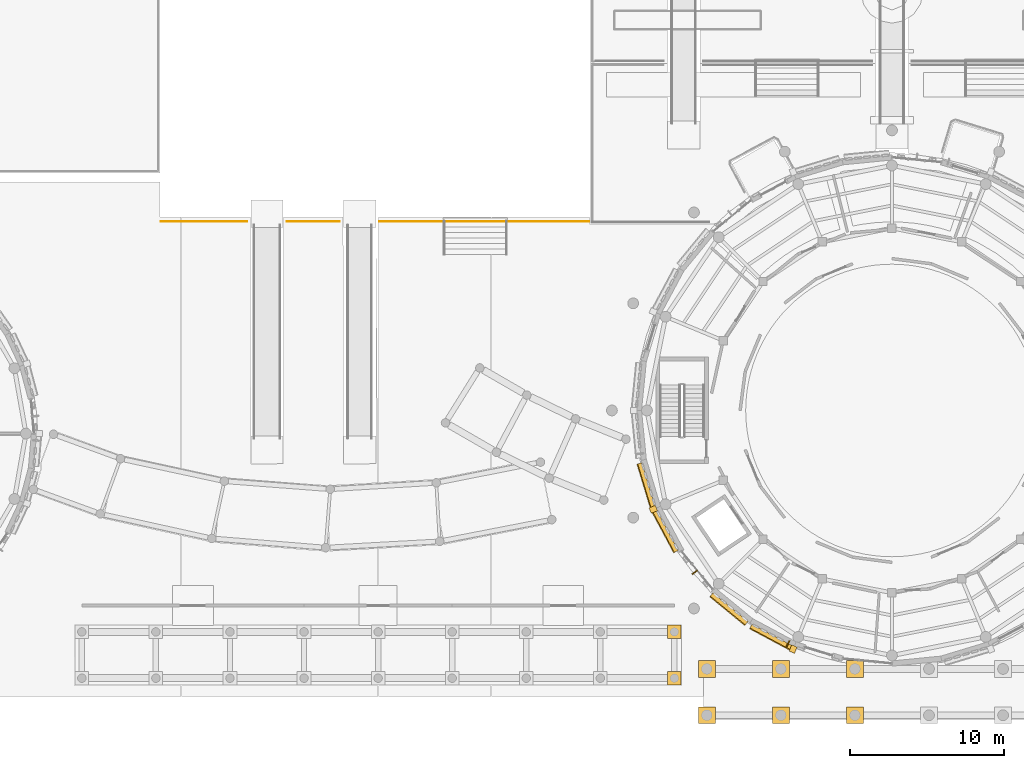
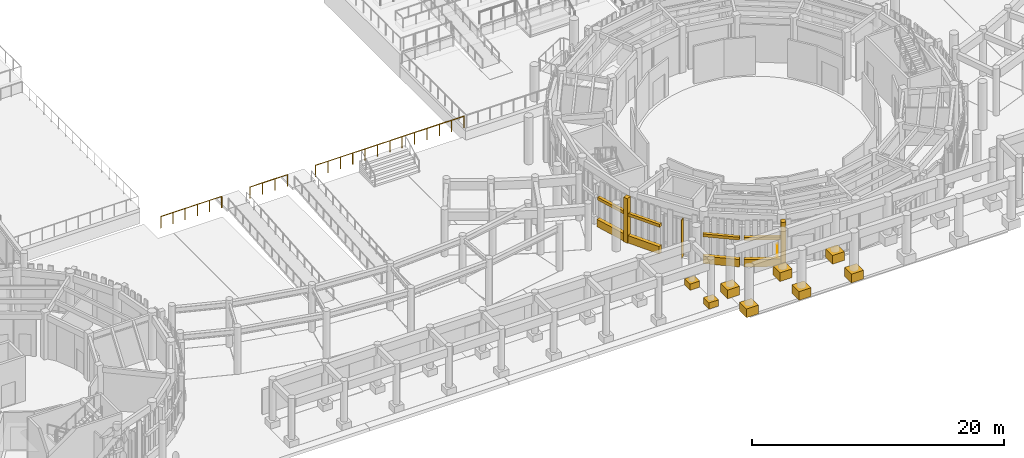
# One storey, part 73 of 94: 18 coverings, 3 railings, 2 shading devices.
"""IFC4 building model written with IfcOpenShell, lengths in metres."""

import ifcopenshell
import ifcopenshell.guid

model = None  # the IFC model being written
_history = None  # IfcOwnerHistory: only IFC2X3 demands one
_inside = {}  # id of a spatial element -> (the spatial element, [elements in it])
_under = {}  # id of a project, library or spatial element -> (it, [spatial elements below it])
_declared = {}  # id of a project -> (the project, [libraries it declares])
_typed = {}  # id of a type object -> (the type object, [elements of that type])
_made_of = {}  # id of a material, layer set ... -> (it, [elements and type objects made of it])


def new_model(schema):
    """Start an empty IFC model of exactly this schema.

    Asked for "IFC4X3", IfcOpenShell would pick the latest addendum, in which some entities
    have other attributes; the version numbers below select the first issue.
    IFC2X3 requires an IfcOwnerHistory on every rooted entity: one is made here for all.
    """
    global model, _history
    if schema == "IFC4X3":
        model = ifcopenshell.file(schema_version=(4, 3, 0, 0))
    else:
        model = ifcopenshell.file(schema=schema)
    _inside.clear()
    _under.clear()
    _declared.clear()
    _typed.clear()
    _made_of.clear()
    _history = None
    if model.schema == "IFC2X3":
        org = make("IfcOrganization", Name="unknown")
        user = make(
            "IfcPersonAndOrganization",
            ThePerson=make("IfcPerson", FamilyName="unknown"),
            TheOrganization=org,
        )
        app = make(
            "IfcApplication",
            ApplicationDeveloper=org,
            Version="unknown",
            ApplicationFullName="unknown",
            ApplicationIdentifier="unknown",
        )
        _history = make(
            "IfcOwnerHistory",
            OwningUser=user,
            OwningApplication=app,
            ChangeAction="ADDED",
            CreationDate=0,
        )
    return model


def make(cls, **values):
    """One entity of the class cls with the attributes given. An attribute that is None is left unset."""
    return model.create_entity(
        cls, **{name: value for name, value in values.items() if value is not None}
    )


def rooted(cls, **values):
    """An entity with a GlobalId (a new one), such as an element, a storey or a relation."""
    return make(cls, GlobalId=ifcopenshell.guid.new(), OwnerHistory=_history, **values)


def si_unit(unit_type, name, prefix=None):
    """IfcSIUnit, for example si_unit("LENGTHUNIT", "METRE", prefix="MILLI")."""
    return make("IfcSIUnit", UnitType=unit_type, Prefix=prefix, Name=name)


def assignment(units):
    """IfcUnitAssignment: the units of a project."""
    return None if units is None else make("IfcUnitAssignment", Units=units)


def point(xyz):
    """IfcCartesianPoint."""
    return None if xyz is None else make("IfcCartesianPoint", Coordinates=xyz)


def direction(xyz):
    """IfcDirection."""
    return None if xyz is None else make("IfcDirection", DirectionRatios=xyz)


def frame(location, z_axis=None, x_axis=None):
    """IfcAxis2Placement3D, a coordinate frame: its origin and axes. An axis left out is left unset."""
    return make(
        "IfcAxis2Placement3D",
        Location=point(location),
        Axis=direction(z_axis),
        RefDirection=direction(x_axis),
    )


def frame_2d(location, x_axis=None):
    """IfcAxis2Placement2D, a coordinate frame in the plane: its origin and x axis."""
    return make(
        "IfcAxis2Placement2D", Location=point(location), RefDirection=direction(x_axis)
    )


def origin():
    """The frame at (0, 0, 0) with its axes left unset."""
    return frame((0.0, 0.0, 0.0))


def origin_2d():
    """The frame at (0, 0) in the plane with its x axis left unset."""
    return frame_2d((0.0, 0.0))


def place(relative_to, where):
    """IfcLocalPlacement: puts the frame where relative to a parent placement (None: the world)."""
    return make(
        "IfcLocalPlacement", PlacementRelTo=relative_to, RelativePlacement=where
    )


def context(
    kind, dimensions, precision=None, world=None, true_north=None, identifier=None
):
    """IfcGeometricRepresentationContext, for example the 3D "Model" context."""
    return make(
        "IfcGeometricRepresentationContext",
        ContextIdentifier=identifier,
        ContextType=kind,
        CoordinateSpaceDimension=dimensions,
        Precision=precision,
        WorldCoordinateSystem=world,
        TrueNorth=true_north,
    )


def subcontext(parent, identifier, kind, view, scale=None):
    """IfcGeometricRepresentationSubContext, for example "Body" below "Model"."""
    return make(
        "IfcGeometricRepresentationSubContext",
        ContextIdentifier=identifier,
        ContextType=kind,
        ParentContext=parent,
        TargetScale=scale,
        TargetView=view,
    )


def project(units=None, contexts=None):
    """IfcProject with its units and contexts."""
    return rooted(
        "IfcProject",
        Name="project",
        RepresentationContexts=contexts,
        UnitsInContext=assignment(units),
    )


def spatial(cls, under=None, at=None, **own):
    """A site, building, storey or space (cls), placed at a placement, below another one or the project."""
    s = rooted(cls, ObjectPlacement=at, **own)
    if under is not None:
        _under.setdefault(under.id(), (under, []))[1].append(s)
    return s


def profile(cls, at=None, kind="AREA", **sizes):
    """A parametric profile (cls). Its sizes go by their IFC names, for example OverallWidth=200.0."""
    return make(cls, ProfileType=kind, Position=at, **sizes)


def rectangle(**sizes):
    """IfcRectangleProfileDef."""
    return profile("IfcRectangleProfileDef", **sizes)


def circle(**sizes):
    """IfcCircleProfileDef."""
    return profile("IfcCircleProfileDef", **sizes)


def extrude(swept, where, along, depth):
    """IfcExtrudedAreaSolid: the profile swept, set in the frame where, extruded along a direction by depth."""
    return make(
        "IfcExtrudedAreaSolid",
        SweptArea=swept,
        Position=where,
        ExtrudedDirection=direction(along),
        Depth=depth,
    )


def shape(context_of_items, identifier, shape_type, items):
    """IfcShapeRepresentation: the items that make up one representation, for example the "Body"."""
    return make(
        "IfcShapeRepresentation",
        ContextOfItems=context_of_items,
        RepresentationIdentifier=identifier,
        RepresentationType=shape_type,
        Items=items,
    )


def material(Name=None, Category=None):
    """IfcMaterial."""
    return make("IfcMaterial", Name=Name, Category=Category)


def layer(
    of_material, thickness, ventilated=None, Name=None, Category=None, Priority=None
):
    """IfcMaterialLayer: one layer of a wall or slab, of a material (None: an air gap)."""
    return make(
        "IfcMaterialLayer",
        Material=of_material,
        LayerThickness=thickness,
        IsVentilated=ventilated,
        Name=Name,
        Category=Category,
        Priority=Priority,
    )


def layer_set(layers, Name=None):
    """IfcMaterialLayerSet."""
    return make("IfcMaterialLayerSet", MaterialLayers=layers, LayerSetName=Name)


def made_of(thing, what):
    """Note that an element or type object is made of a material, layer set ...; save() writes the relation."""
    if what is not None:
        _made_of.setdefault(what.id(), (what, []))[1].append(thing)
    return thing


def type_object(cls, material=None, **own):
    """A type object (cls), such as IfcWallType, which elements share."""
    return made_of(rooted(cls, **own), material)


def element(
    cls,
    number,
    at=None,
    inside=None,
    cuts=None,
    type_object=None,
    material=None,
    context=None,
    identifier="Body",
    shape_type=None,
    held_by="IfcProductDefinitionShape",
    body=None,
    shapes=None,
    **own,
):
    """One element of the class cls, such as IfcWall. Its Tag is "e" and its number.

    at: its placement. inside: the storey or other place that contains it. cuts: it is an
    opening in that element (IfcRelVoidsElement). A single representation is given by context,
    identifier, shape_type and body (its items); several are given by shapes. held_by: the class
    of the entity that holds the representations. save() writes the other relations.
    """
    e = rooted(cls, Tag="e%d" % number, ObjectPlacement=at, **own)
    if body is not None:
        shapes = [shape(context, identifier, shape_type, body)]
    if shapes is not None:
        e.Representation = make(held_by, Representations=shapes)
    if inside is not None:
        _inside.setdefault(inside.id(), (inside, []))[1].append(e)
    if cuts is not None:
        rooted(
            "IfcRelVoidsElement", RelatingBuildingElement=cuts, RelatedOpeningElement=e
        )
    if type_object is not None:
        _typed.setdefault(type_object.id(), (type_object, []))[1].append(e)
    return made_of(e, material)


def aggregate(whole, parts):
    """IfcRelAggregates: a whole, such as a stair, and the parts it consists of."""
    return rooted("IfcRelAggregates", RelatingObject=whole, RelatedObjects=parts)


def save(model, path):
    """Write the relations noted so far, then the file.

    IfcRelAggregates (storeys below a building ...), IfcRelContainedInSpatialStructure (elements
    in a storey), IfcRelDefinesByType, IfcRelAssociatesMaterial and IfcRelDeclares: one each for
    every whole, place, type object, material and project.
    """
    for whole, parts in _under.values():
        aggregate(whole, parts)
    for where, things in _inside.values():
        rooted(
            "IfcRelContainedInSpatialStructure",
            RelatedElements=things,
            RelatingStructure=where,
        )
    for kind, things in _typed.values():
        rooted("IfcRelDefinesByType", RelatedObjects=things, RelatingType=kind)
    for what, things in _made_of.values():
        rooted("IfcRelAssociatesMaterial", RelatedObjects=things, RelatingMaterial=what)
    for by, libraries in _declared.values():
        rooted("IfcRelDeclares", RelatingContext=by, RelatedDefinitions=libraries)
    model.write(path)


model = new_model("IFC4")

# Units and contexts
model_context = context("Model", 3, precision=1e-05, world=origin(), true_north=direction((0.0, 1.0)))
body_context = subcontext(model_context, "Body", "Model", "MODEL_VIEW")
ifc_project = project(units=[si_unit("LENGTHUNIT", "METRE"), si_unit("AREAUNIT", "SQUARE_METRE"), si_unit("VOLUMEUNIT", "CUBIC_METRE"), si_unit("PLANEANGLEUNIT", "RADIAN"), si_unit("MASSUNIT", "GRAM", prefix="KILO")], contexts=[model_context])

# Site, building, storey
site_placement = place(None, origin())
site = spatial("IfcSite", under=ifc_project, at=site_placement, CompositionType="ELEMENT")
building_placement = place(site_placement, origin())
building = spatial("IfcBuilding", under=site, at=building_placement, Name="Aldenvaro Health Centre", CompositionType="ELEMENT")
storey_placement = place(building_placement, origin())
storey = spatial("IfcBuildingStorey", under=building, at=storey_placement, Name="L00", CompositionType="ELEMENT", Elevation=0.0)

# Coverings
ifc_material_1 = material(Name="Honed Sonoran Buff Limestone", Category="masonry")
ifc_layer = layer(ifc_material_1, 0.280029296875, Name="Honed Sonoran Buff Limestone", Category="masonry")
ifc_layer_set = layer_set([ifc_layer], Name="Honed Sonoran Buff Limestone")
covering_type = type_object("IfcCoveringType", Name="COV-CRN-STN", PredefinedType="CLADDING", material=ifc_layer_set)
covering_1_placement = place(storey_placement, frame((79.14599609375, 5.305908203125, 0.0), z_axis=(0.0, 0.0, 1.0), x_axis=(-0.88183578132, 0.471556629455, 0.0)))
element("IfcCovering", 1, at=covering_1_placement, inside=storey, type_object=covering_type, Name="D1 L00 Rusticated Limestone Plinth 11.1", PredefinedType="CLADDING", context=body_context, shape_type="SweptSolid", body=[
    extrude(rectangle(XDim=2.93505859375, YDim=0.340087890625, at=origin_2d()), origin(), (0.0, 0.0, 1.0), 0.719970703125),
])
covering_2_placement = place(storey_placement, frame((79.159912109375, 5.3330078125, 2.5498046875), z_axis=(0.0, 0.0, 1.0), x_axis=(-0.88183578132, 0.471556629455, 0.0)))
element("IfcCovering", 2, at=covering_2_placement, inside=storey, type_object=covering_type, Name="D1 L00 Rusticated Limestone Plinth 11.2", PredefinedType="CLADDING", context=body_context, shape_type="SweptSolid", body=[
    extrude(rectangle(XDim=2.93505859375, YDim=0.280029296875, at=origin_2d()), origin(), (0.0, 0.0, 1.0), 0.280029296875),
])
covering_3_placement = place(storey_placement, frame((80.593994140625, 4.533935546875, -0.00048828125), z_axis=(0.0, 0.0, 1.0), x_axis=(-0.382674902345, -0.923883065715, 0.0)))
element("IfcCovering", 3, at=covering_3_placement, inside=storey, type_object=covering_type, Name="D1 L00 Engaged Classical Limestone Pilaster 06", PredefinedType="CLADDING", context=body_context, shape_type="SweptSolid", body=[
    extrude(rectangle(XDim=0.43994140625, YDim=0.3798828125, at=origin_2d()), origin(), (0.0, 0.0, 1.0), 4.304931640625),
])
covering_4_placement = place(storey_placement, frame((76.429931640625, 7.12109375, 0.0), z_axis=(0.0, 0.0, 1.0), x_axis=(-0.773194586776, 0.634168850528, 0.0)))
element("IfcCovering", 4, at=covering_4_placement, inside=storey, type_object=covering_type, Name="D1 L00 Rusticated Limestone Plinth 12.1", PredefinedType="CLADDING", context=body_context, shape_type="SweptSolid", body=[
    extrude(rectangle(XDim=2.93505859375, YDim=0.340087890625, at=origin_2d()), origin(), (0.0, 0.0, 1.0), 0.719970703125),
])
covering_5_placement = place(storey_placement, frame((76.448974609375, 7.14404296875, 2.5498046875), z_axis=(0.0, 0.0, 1.0), x_axis=(-0.773194586776, 0.634168850528, 0.0)))
element("IfcCovering", 5, at=covering_5_placement, inside=storey, type_object=covering_type, Name="D1 L00 Rusticated Limestone Plinth 12.2", PredefinedType="CLADDING", context=body_context, shape_type="SweptSolid", body=[
    extrude(rectangle(XDim=2.93505859375, YDim=0.280029296875, at=origin_2d()), origin(), (0.0, 0.0, 1.0), 0.280029296875),
])
covering_6_placement = place(storey_placement, frame((72.305908203125, 12.14599609375, 0.0), z_axis=(0.0, 0.0, 1.0), x_axis=(-0.471556629455, 0.88183578132, 0.0)))
element("IfcCovering", 6, at=covering_6_placement, inside=storey, type_object=covering_type, Name="D1 L00 Rusticated Limestone Plinth 14.1", PredefinedType="CLADDING", context=body_context, shape_type="SweptSolid", body=[
    extrude(rectangle(XDim=2.93505859375, YDim=0.340087890625, at=origin_2d()), origin(), (0.0, 0.0, 1.0), 0.719970703125),
])
covering_7_placement = place(storey_placement, frame((72.3330078125, 12.159912109375, 2.5498046875), z_axis=(0.0, 0.0, 1.0), x_axis=(-0.471556629455, 0.88183578132, 0.0)))
element("IfcCovering", 7, at=covering_7_placement, inside=storey, type_object=covering_type, Name="D1 L00 Rusticated Limestone Plinth 14.2", PredefinedType="CLADDING", context=body_context, shape_type="SweptSolid", body=[
    extrude(rectangle(XDim=2.93505859375, YDim=0.280029296875, at=origin_2d()), origin(), (0.0, 0.0, 1.0), 0.280029296875),
])
covering_8_placement = place(storey_placement, frame((71.055908203125, 15.1640625, 0.0), z_axis=(0.0, 0.0, 1.0), x_axis=(-0.290171396605, 0.95697469172, 0.0)))
element("IfcCovering", 8, at=covering_8_placement, inside=storey, type_object=covering_type, Name="D1 L00 Rusticated Limestone Plinth 15.1", PredefinedType="CLADDING", context=body_context, shape_type="SweptSolid", body=[
    extrude(rectangle(XDim=2.93505859375, YDim=0.340087890625, at=origin_2d()), origin(), (0.0, 0.0, 1.0), 0.719970703125),
])
covering_9_placement = place(storey_placement, frame((71.0849609375, 15.173095703125, 2.5498046875), z_axis=(0.0, 0.0, 1.0), x_axis=(-0.290171396605, 0.95697469172, 0.0)))
element("IfcCovering", 9, at=covering_9_placement, inside=storey, type_object=covering_type, Name="D1 L00 Rusticated Limestone Plinth 15.2", PredefinedType="CLADDING", context=body_context, shape_type="SweptSolid", body=[
    extrude(rectangle(XDim=2.93505859375, YDim=0.280029296875, at=origin_2d()), origin(), (0.0, 0.0, 1.0), 0.280029296875),
])
covering_10_placement = place(storey_placement, frame((71.533935546875, 13.593994140625, -0.00048828125), z_axis=(0.0, 0.0, 1.0), x_axis=(-0.923883065715, -0.382674902345, 0.0)))
element("IfcCovering", 10, at=covering_10_placement, inside=storey, type_object=covering_type, Name="D1 L00 Engaged Classical Limestone Pilaster 08", PredefinedType="CLADDING", context=body_context, shape_type="SweptSolid", body=[
    extrude(rectangle(XDim=0.43994140625, YDim=0.3798828125, at=origin_2d()), origin(), (0.0, 0.0, 1.0), 4.304931640625),
])
for number, where, z_axis, x_axis, name in (
    (11, (75.0, 0.25, 0.0), (0.0, 0.0, 1.0), (1.0, 0.0, 0.0), "Hexastyle Portico Classical Column Pedestal 1"),
    (12, (75.0, 3.25, 0.0), (0.0, 0.0, 1.0), (1.0, 0.0, 0.0), "Hexastyle Portico Classical Column Pedestal 2"),
    (13, (79.800048828125, 0.25, 0.0), (0.0, 0.0, 1.0), (1.0, 0.0, 0.0), "Hexastyle Portico Classical Column Pedestal 3"),
    (14, (79.800048828125, 3.25, 0.0), (0.0, 0.0, 1.0), (1.0, 0.0, 0.0), "Hexastyle Portico Classical Column Pedestal 4"),
    (15, (84.60009765625, 0.25, 0.0), (0.0, 0.0, 1.0), (1.0, 0.0, 0.0), "Hexastyle Portico Classical Column Pedestal 5"),
    (16, (84.60009765625, 3.25, 0.0), (0.0, 0.0, 1.0), (1.0, 0.0, 0.0), "Hexastyle Portico Classical Column Pedestal 6"),
):
    element("IfcCovering", number, at=place(storey_placement, frame(where, z_axis=z_axis, x_axis=x_axis)), inside=storey, type_object=covering_type, Name=name, PredefinedType="CLADDING", context=body_context, shape_type="SweptSolid", body=[
        extrude(rectangle(XDim=1.10009765625, YDim=1.10009765625, at=origin_2d()), origin(), (0.0, 0.0, 1.0), 0.840087890625),
    ])
for number, where, z_axis, x_axis, name in (
    (17, (72.89990234375, 2.64990234375, 0.0), (0.0, 0.0, 1.0), (1.0, 0.0, 0.0), "South Stoa Classical Column Plinth 17"),
    (18, (72.89990234375, 5.64990234375, 0.0), (0.0, 0.0, 1.0), (1.0, 0.0, 0.0), "South Stoa Classical Column Plinth 18"),
):
    element("IfcCovering", number, at=place(storey_placement, frame(where, z_axis=z_axis, x_axis=x_axis)), inside=storey, type_object=covering_type, Name=name, PredefinedType="CLADDING", context=body_context, shape_type="SweptSolid", body=[
        extrude(rectangle(XDim=0.8798828125, YDim=0.8798828125, at=origin_2d()), origin(), (0.0, 0.0, 1.0), 0.60009765625),
    ])

# Railings
ifc_material_2 = material(Name="Painted Architectural Steel", Category="steel")
railing_type = type_object("IfcRailingType", Name="RL-BAL-110", PredefinedType="GUARDRAIL", material=ifc_material_2)
railing_1_placement = place(storey_placement, frame((39.6240234375, 32.25, 1.14990234375)))
element("IfcRailing", 19, at=railing_1_placement, inside=storey, type_object=railing_type, Name="Stepped Garden Terrace Balustrade T2M-1", PredefinedType="GUARDRAIL", context=body_context, shape_type="SweptSolid", body=[
    extrude(circle(Radius=0.02392578125, at=origin_2d()), frame((0.0, 0.0, 1.09619140625), z_axis=(1.0, 0.0, 0.0), x_axis=(0.0, 1.0, 0.0)), (0.0, 0.0, 1.0), 5.575927734375),
    extrude(circle(Radius=0.02099609375, at=origin_2d()), origin(), (0.0, 0.0, 1.0), 1.072021484375),
    extrude(circle(Radius=0.02099609375, at=origin_2d()), frame((1.115234375, 0.0, 0.0)), (0.0, 0.0, 1.0), 1.072021484375),
    extrude(circle(Radius=0.02099609375, at=origin_2d()), frame((2.23046875, 0.0, 0.0)), (0.0, 0.0, 1.0), 1.072021484375),
    extrude(circle(Radius=0.02099609375, at=origin_2d()), frame((3.345458984375, 0.0, 0.0)), (0.0, 0.0, 1.0), 1.072021484375),
    extrude(circle(Radius=0.02099609375, at=origin_2d()), frame((4.460693359375, 0.0, 0.0)), (0.0, 0.0, 1.0), 1.072021484375),
    extrude(circle(Radius=0.02099609375, at=origin_2d()), frame((5.575927734375, 0.0, 0.0)), (0.0, 0.0, 1.0), 1.072021484375),
])
railing_2_placement = place(storey_placement, frame((47.800048828125, 32.25, 1.14990234375)))
element("IfcRailing", 20, at=railing_2_placement, inside=storey, type_object=railing_type, Name="Stepped Garden Terrace Balustrade T2M-2", PredefinedType="GUARDRAIL", context=body_context, shape_type="SweptSolid", body=[
    extrude(circle(Radius=0.02392578125, at=origin_2d()), frame((0.0, 0.0, 1.09619140625), z_axis=(1.0, 0.0, 0.0), x_axis=(0.0, 1.0, 0.0)), (0.0, 0.0, 1.0), 3.39990234375),
    extrude(circle(Radius=0.02099609375, at=origin_2d()), origin(), (0.0, 0.0, 1.0), 1.072021484375),
    extrude(circle(Radius=0.02099609375, at=origin_2d()), frame((1.13330078125, 0.0, 0.0)), (0.0, 0.0, 1.0), 1.072021484375),
    extrude(circle(Radius=0.02099609375, at=origin_2d()), frame((2.2666015625, 0.0, 0.0)), (0.0, 0.0, 1.0), 1.072021484375),
    extrude(circle(Radius=0.02099609375, at=origin_2d()), frame((3.39990234375, 0.0, 0.0)), (0.0, 0.0, 1.0), 1.072021484375),
])
railing_3_placement = place(storey_placement, frame((53.800048828125, 32.25, 1.14990234375)))
element("IfcRailing", 21, at=railing_3_placement, inside=storey, type_object=railing_type, Name="Stepped Garden Terrace Balustrade T2M-3", PredefinedType="GUARDRAIL", context=body_context, shape_type="SweptSolid", body=[
    extrude(circle(Radius=0.02392578125, at=origin_2d()), frame((0.0, 0.0, 1.09619140625), z_axis=(1.0, 0.0, 0.0), x_axis=(0.0, 1.0, 0.0)), (0.0, 0.0, 1.0), 13.575927734375),
    extrude(circle(Radius=0.02099609375, at=origin_2d()), origin(), (0.0, 0.0, 1.0), 1.072021484375),
    extrude(circle(Radius=0.02099609375, at=origin_2d()), frame((1.13134765625, 0.0, 0.0)), (0.0, 0.0, 1.0), 1.072021484375),
    extrude(circle(Radius=0.02099609375, at=origin_2d()), frame((2.2626953125, 0.0, 0.0)), (0.0, 0.0, 1.0), 1.072021484375),
    extrude(circle(Radius=0.02099609375, at=origin_2d()), frame((3.39404296875, 0.0, 0.0)), (0.0, 0.0, 1.0), 1.072021484375),
    extrude(circle(Radius=0.02099609375, at=origin_2d()), frame((4.525390625, 0.0, 0.0)), (0.0, 0.0, 1.0), 1.072021484375),
    extrude(circle(Radius=0.02099609375, at=origin_2d()), frame((5.65673828125, 0.0, 0.0)), (0.0, 0.0, 1.0), 1.072021484375),
    extrude(circle(Radius=0.02099609375, at=origin_2d()), frame((6.7880859375, 0.0, 0.0)), (0.0, 0.0, 1.0), 1.072021484375),
    extrude(circle(Radius=0.02099609375, at=origin_2d()), frame((7.919189453125, 0.0, 0.0)), (0.0, 0.0, 1.0), 1.072021484375),
    extrude(circle(Radius=0.02099609375, at=origin_2d()), frame((9.050537109375, 0.0, 0.0)), (0.0, 0.0, 1.0), 1.072021484375),
    extrude(circle(Radius=0.02099609375, at=origin_2d()), frame((10.181884765625, 0.0, 0.0)), (0.0, 0.0, 1.0), 1.072021484375),
    extrude(circle(Radius=0.02099609375, at=origin_2d()), frame((11.313232421875, 0.0, 0.0)), (0.0, 0.0, 1.0), 1.072021484375),
    extrude(circle(Radius=0.02099609375, at=origin_2d()), frame((12.444580078125, 0.0, 0.0)), (0.0, 0.0, 1.0), 1.072021484375),
    extrude(circle(Radius=0.02099609375, at=origin_2d()), frame((13.575927734375, 0.0, 0.0)), (0.0, 0.0, 1.0), 1.072021484375),
])

# Shading devices
ifc_material_3 = material(Name="Douglas Fir Exterior Glulam GL28h", Category="wood")
shading_device_type_1 = type_object("IfcShadingDeviceType", Name="SHD-FIN-190", PredefinedType="USERDEFINED", material=ifc_material_3)
shading_device_1_placement = place(storey_placement, frame((80.27099609375, 4.89208984375, -0.02001953125), z_axis=(0.0, 0.0, 1.0), x_axis=(-0.88183578132, 0.471556629455, 0.0)))
element("IfcShadingDevice", 22, at=shading_device_1_placement, inside=storey, type_object=shading_device_type_1, Name="D1 L00 Douglas fir fin 11.1", ObjectType="FIN", PredefinedType="USERDEFINED", context=body_context, shape_type="SweptSolid", body=[
    extrude(rectangle(XDim=0.06494140625, YDim=0.419921875, at=origin_2d()), origin(), (0.0, 0.0, 1.0), 1.89990234375),
])
shading_device_type_2 = type_object("IfcShadingDeviceType", Name="SHD-FIN-435", PredefinedType="USERDEFINED", material=ifc_material_3)
shading_device_2_placement = place(storey_placement, frame((74.220947265625, 9.512939453125, -0.0205078125), z_axis=(0.0, 0.0, 1.0), x_axis=(-0.634168850528, 0.773194586776, 0.0)))
element("IfcShadingDevice", 23, at=shading_device_2_placement, inside=storey, type_object=shading_device_type_2, Name="D1 L00 vertical timber fin 13.0", ObjectType="FIN", PredefinedType="USERDEFINED", context=body_context, shape_type="SweptSolid", body=[
    extrude(rectangle(XDim=0.06494140625, YDim=0.419921875, at=origin_2d()), origin(), (0.0, 0.0, 1.0), 3.698974609375),
])

save(model, "model.ifc")
